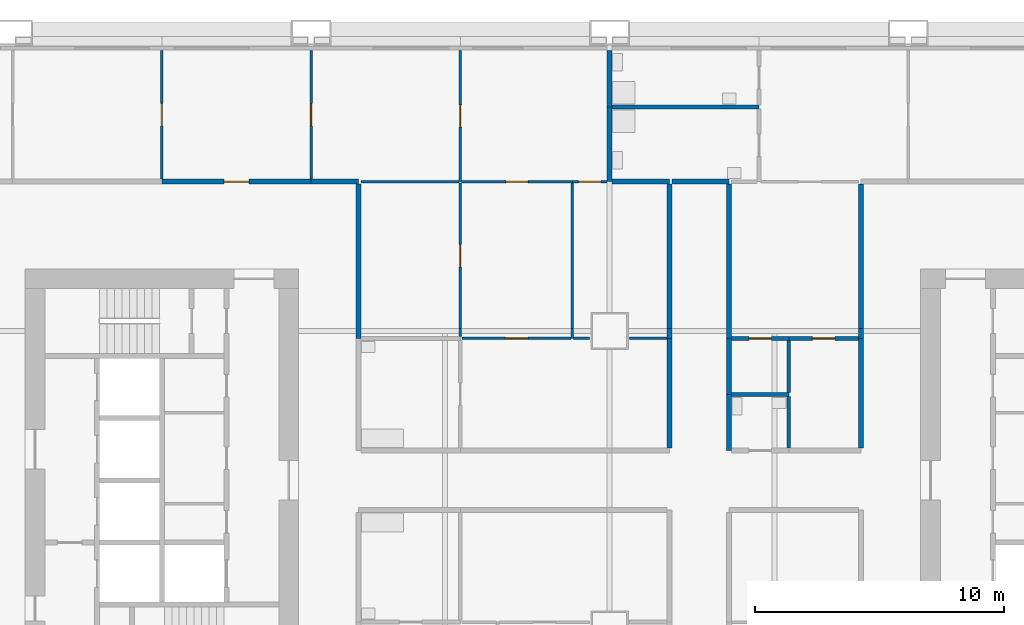
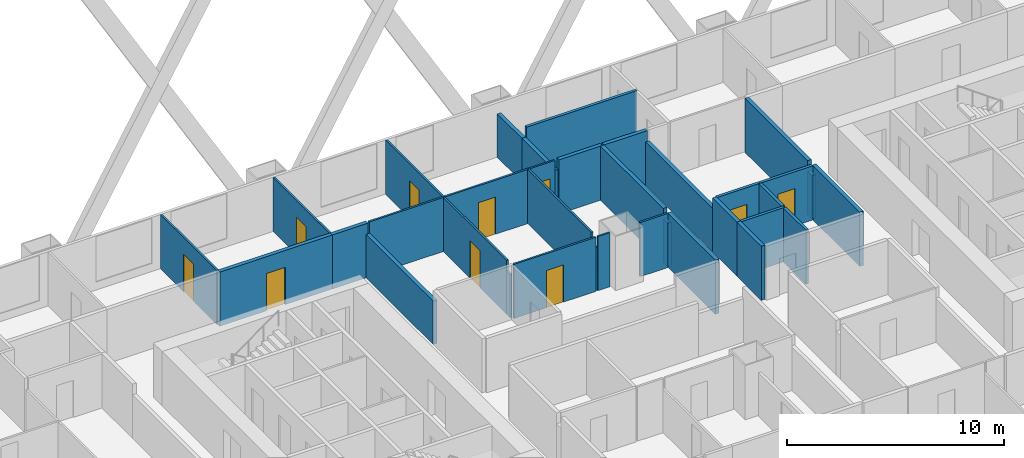
# One storey, part 8 of 13: 35 walls, 10 doors, 10 openings.
"""IFC4 building model written with IfcOpenShell, lengths in metres."""

import ifcopenshell
import ifcopenshell.guid

model = None  # the IFC model being written
_history = None  # IfcOwnerHistory: only IFC2X3 demands one
_inside = {}  # id of a spatial element -> (the spatial element, [elements in it])
_under = {}  # id of a project, library or spatial element -> (it, [spatial elements below it])
_declared = {}  # id of a project -> (the project, [libraries it declares])
_typed = {}  # id of a type object -> (the type object, [elements of that type])
_made_of = {}  # id of a material, layer set ... -> (it, [elements and type objects made of it])


def new_model(schema):
    """Start an empty IFC model of exactly this schema.

    Asked for "IFC4X3", IfcOpenShell would pick the latest addendum, in which some entities
    have other attributes; the version numbers below select the first issue.
    IFC2X3 requires an IfcOwnerHistory on every rooted entity: one is made here for all.
    """
    global model, _history
    if schema == "IFC4X3":
        model = ifcopenshell.file(schema_version=(4, 3, 0, 0))
    else:
        model = ifcopenshell.file(schema=schema)
    _inside.clear()
    _under.clear()
    _declared.clear()
    _typed.clear()
    _made_of.clear()
    _history = None
    if model.schema == "IFC2X3":
        org = make("IfcOrganization", Name="unknown")
        user = make(
            "IfcPersonAndOrganization",
            ThePerson=make("IfcPerson", FamilyName="unknown"),
            TheOrganization=org,
        )
        app = make(
            "IfcApplication",
            ApplicationDeveloper=org,
            Version="unknown",
            ApplicationFullName="unknown",
            ApplicationIdentifier="unknown",
        )
        _history = make(
            "IfcOwnerHistory",
            OwningUser=user,
            OwningApplication=app,
            ChangeAction="ADDED",
            CreationDate=0,
        )
    return model


def make(cls, **values):
    """One entity of the class cls with the attributes given. An attribute that is None is left unset."""
    return model.create_entity(
        cls, **{name: value for name, value in values.items() if value is not None}
    )


def rooted(cls, **values):
    """An entity with a GlobalId (a new one), such as an element, a storey or a relation."""
    return make(cls, GlobalId=ifcopenshell.guid.new(), OwnerHistory=_history, **values)


def si_unit(unit_type, name, prefix=None):
    """IfcSIUnit, for example si_unit("LENGTHUNIT", "METRE", prefix="MILLI")."""
    return make("IfcSIUnit", UnitType=unit_type, Prefix=prefix, Name=name)


def assignment(units):
    """IfcUnitAssignment: the units of a project."""
    return None if units is None else make("IfcUnitAssignment", Units=units)


def point(xyz):
    """IfcCartesianPoint."""
    return None if xyz is None else make("IfcCartesianPoint", Coordinates=xyz)


def direction(xyz):
    """IfcDirection."""
    return None if xyz is None else make("IfcDirection", DirectionRatios=xyz)


def frame(location, z_axis=None, x_axis=None):
    """IfcAxis2Placement3D, a coordinate frame: its origin and axes. An axis left out is left unset."""
    return make(
        "IfcAxis2Placement3D",
        Location=point(location),
        Axis=direction(z_axis),
        RefDirection=direction(x_axis),
    )


def frame_2d(location, x_axis=None):
    """IfcAxis2Placement2D, a coordinate frame in the plane: its origin and x axis."""
    return make(
        "IfcAxis2Placement2D", Location=point(location), RefDirection=direction(x_axis)
    )


def origin():
    """The frame at (0, 0, 0) with its axes left unset."""
    return frame((0.0, 0.0, 0.0))


def place(relative_to, where):
    """IfcLocalPlacement: puts the frame where relative to a parent placement (None: the world)."""
    return make(
        "IfcLocalPlacement", PlacementRelTo=relative_to, RelativePlacement=where
    )


def context(
    kind, dimensions, precision=None, world=None, true_north=None, identifier=None
):
    """IfcGeometricRepresentationContext, for example the 3D "Model" context."""
    return make(
        "IfcGeometricRepresentationContext",
        ContextIdentifier=identifier,
        ContextType=kind,
        CoordinateSpaceDimension=dimensions,
        Precision=precision,
        WorldCoordinateSystem=world,
        TrueNorth=true_north,
    )


def subcontext(parent, identifier, kind, view, scale=None):
    """IfcGeometricRepresentationSubContext, for example "Body" below "Model"."""
    return make(
        "IfcGeometricRepresentationSubContext",
        ContextIdentifier=identifier,
        ContextType=kind,
        ParentContext=parent,
        TargetScale=scale,
        TargetView=view,
    )


def project(units=None, contexts=None):
    """IfcProject with its units and contexts."""
    return rooted(
        "IfcProject",
        Name="project",
        RepresentationContexts=contexts,
        UnitsInContext=assignment(units),
    )


def spatial(cls, under=None, at=None, **own):
    """A site, building, storey or space (cls), placed at a placement, below another one or the project."""
    s = rooted(cls, ObjectPlacement=at, **own)
    if under is not None:
        _under.setdefault(under.id(), (under, []))[1].append(s)
    return s


def profile(cls, at=None, kind="AREA", **sizes):
    """A parametric profile (cls). Its sizes go by their IFC names, for example OverallWidth=200.0."""
    return make(cls, ProfileType=kind, Position=at, **sizes)


def rectangle(**sizes):
    """IfcRectangleProfileDef."""
    return profile("IfcRectangleProfileDef", **sizes)


def extrude(swept, where, along, depth):
    """IfcExtrudedAreaSolid: the profile swept, set in the frame where, extruded along a direction by depth."""
    return make(
        "IfcExtrudedAreaSolid",
        SweptArea=swept,
        Position=where,
        ExtrudedDirection=direction(along),
        Depth=depth,
    )


def shape(context_of_items, identifier, shape_type, items):
    """IfcShapeRepresentation: the items that make up one representation, for example the "Body"."""
    return make(
        "IfcShapeRepresentation",
        ContextOfItems=context_of_items,
        RepresentationIdentifier=identifier,
        RepresentationType=shape_type,
        Items=items,
    )


def material(Name=None, Category=None):
    """IfcMaterial."""
    return make("IfcMaterial", Name=Name, Category=Category)


def layer(
    of_material, thickness, ventilated=None, Name=None, Category=None, Priority=None
):
    """IfcMaterialLayer: one layer of a wall or slab, of a material (None: an air gap)."""
    return make(
        "IfcMaterialLayer",
        Material=of_material,
        LayerThickness=thickness,
        IsVentilated=ventilated,
        Name=Name,
        Category=Category,
        Priority=Priority,
    )


def layer_set(layers, Name=None):
    """IfcMaterialLayerSet."""
    return make("IfcMaterialLayerSet", MaterialLayers=layers, LayerSetName=Name)


def made_of(thing, what):
    """Note that an element or type object is made of a material, layer set ...; save() writes the relation."""
    if what is not None:
        _made_of.setdefault(what.id(), (what, []))[1].append(thing)
    return thing


def type_object(cls, material=None, **own):
    """A type object (cls), such as IfcWallType, which elements share."""
    return made_of(rooted(cls, **own), material)


def element(
    cls,
    number,
    at=None,
    inside=None,
    cuts=None,
    type_object=None,
    material=None,
    context=None,
    identifier="Body",
    shape_type=None,
    held_by="IfcProductDefinitionShape",
    body=None,
    shapes=None,
    **own,
):
    """One element of the class cls, such as IfcWall. Its Tag is "e" and its number.

    at: its placement. inside: the storey or other place that contains it. cuts: it is an
    opening in that element (IfcRelVoidsElement). A single representation is given by context,
    identifier, shape_type and body (its items); several are given by shapes. held_by: the class
    of the entity that holds the representations. save() writes the other relations.
    """
    e = rooted(cls, Tag="e%d" % number, ObjectPlacement=at, **own)
    if body is not None:
        shapes = [shape(context, identifier, shape_type, body)]
    if shapes is not None:
        e.Representation = make(held_by, Representations=shapes)
    if inside is not None:
        _inside.setdefault(inside.id(), (inside, []))[1].append(e)
    if cuts is not None:
        rooted(
            "IfcRelVoidsElement", RelatingBuildingElement=cuts, RelatedOpeningElement=e
        )
    if type_object is not None:
        _typed.setdefault(type_object.id(), (type_object, []))[1].append(e)
    return made_of(e, material)


def fill(opening, filler):
    """IfcRelFillsElement: the door or window that sits in an opening."""
    return rooted(
        "IfcRelFillsElement",
        RelatingOpeningElement=opening,
        RelatedBuildingElement=filler,
    )


def aggregate(whole, parts):
    """IfcRelAggregates: a whole, such as a stair, and the parts it consists of."""
    return rooted("IfcRelAggregates", RelatingObject=whole, RelatedObjects=parts)


def save(model, path):
    """Write the relations noted so far, then the file.

    IfcRelAggregates (storeys below a building ...), IfcRelContainedInSpatialStructure (elements
    in a storey), IfcRelDefinesByType, IfcRelAssociatesMaterial and IfcRelDeclares: one each for
    every whole, place, type object, material and project.
    """
    for whole, parts in _under.values():
        aggregate(whole, parts)
    for where, things in _inside.values():
        rooted(
            "IfcRelContainedInSpatialStructure",
            RelatedElements=things,
            RelatingStructure=where,
        )
    for kind, things in _typed.values():
        rooted("IfcRelDefinesByType", RelatedObjects=things, RelatingType=kind)
    for what, things in _made_of.values():
        rooted("IfcRelAssociatesMaterial", RelatedObjects=things, RelatingMaterial=what)
    for by, libraries in _declared.values():
        rooted("IfcRelDeclares", RelatingContext=by, RelatedDefinitions=libraries)
    model.write(path)


model = new_model("IFC4")

# Units and contexts
model_context = context("Model", 3, precision=1e-05, world=origin(), true_north=direction((0.0, 1.0)))
body_context = subcontext(model_context, "Body", "Model", "MODEL_VIEW")
ifc_project = project(units=[si_unit("LENGTHUNIT", "METRE"), si_unit("AREAUNIT", "SQUARE_METRE"), si_unit("VOLUMEUNIT", "CUBIC_METRE"), si_unit("PLANEANGLEUNIT", "RADIAN"), si_unit("MASSUNIT", "GRAM", prefix="KILO")], contexts=[model_context])

# Site, building, storey
site_placement = place(None, origin())
site = spatial("IfcSite", under=ifc_project, at=site_placement, CompositionType="ELEMENT")
building_placement = place(site_placement, origin())
building = spatial("IfcBuilding", under=site, at=building_placement, Name="Kitamizu Gate Tower and Museum", CompositionType="ELEMENT")
storey_placement = place(building_placement, frame((0.0, 0.0, 71.39990234375)))
storey = spatial("IfcBuildingStorey", under=building, at=storey_placement, Name="L17", CompositionType="ELEMENT", Elevation=71.39990234375)

# Wall, opening, door
ifc_material_1 = material(Name="Gypsum board on galvanised stud")
ifc_layer_1 = layer(ifc_material_1, 0.10009765625)
ifc_layer_set_1 = layer_set([ifc_layer_1], Name="Gypsum board on galvanised stud")
wall_type_1 = type_object("IfcWallType", Name="Partition 100 NOT RATED", PredefinedType="PARTITIONING", material=ifc_layer_set_1)
wall_1_placement = place(storey_placement, frame((18.0, 42.10009765625, 0.0), z_axis=(0.0, 0.0, 1.0), x_axis=(0.0, 1.0, 0.0)))
wall_1 = element("IfcWall", 1, at=wall_1_placement, inside=storey, type_object=wall_type_1, Name="Partition L17-142", PredefinedType="PARTITIONING", context=body_context, shape_type="SweptSolid", body=[
    extrude(rectangle(XDim=5.179931640625, YDim=0.10009765625, at=frame_2d((2.58984375, 0.0))), origin(), (0.0, 0.0, 1.0), 3.050048828125),
])
opening_1_placement = place(wall_1_placement, frame((2.139892578125, 0.0, 0.0)))
opening_1 = element("IfcOpeningElement", 2, at=opening_1_placement, cuts=wall_1, Name="Opening L17-056", PredefinedType="OPENING", context=body_context, shape_type="SweptSolid", body=[
    extrude(rectangle(XDim=0.89990234375, YDim=2.10009765625, at=frame_2d((0.449951171875, 1.050048828125))), frame((0.0, 0.06005859375, 0.0), z_axis=(0.0, -1.0, 0.0), x_axis=(1.0, 0.0, 0.0)), (0.0, 0.0, 1.0), 0.1201171875),
])
ifc_material_2 = material(Name="Timber door set", Category="wood")
door_type_1 = type_object("IfcDoorType", Name="Room door 900", OperationType="NOTDEFINED", PredefinedType="DOOR", material=ifc_material_2)
door_1_placement = place(opening_1_placement, origin())
door_1 = element("IfcDoor", 3, at=door_1_placement, inside=storey, type_object=door_type_1, Name="Door L17-056", OperationType="SINGLE_SWING_LEFT", OverallHeight=2.10009765625, OverallWidth=0.89990234375, PredefinedType="DOOR", context=body_context, shape_type="SweptSolid", body=[
    extrude(rectangle(XDim=0.89990234375, YDim=2.10009765625, at=frame_2d((0.449951171875, 1.050048828125))), frame((0.0, 0.02490234375, 0.0), z_axis=(0.0, -1.0, 0.0), x_axis=(1.0, 0.0, 0.0)), (0.0, 0.0, 1.0), 0.050048828125),
])
fill(opening_1, door_1)

wall_2_placement = place(storey_placement, frame((24.0, 42.10009765625, 0.0), z_axis=(0.0, 0.0, 1.0), x_axis=(0.0, 1.0, 0.0)))
wall_2 = element("IfcWall", 4, at=wall_2_placement, inside=storey, type_object=wall_type_1, Name="Partition L17-144", PredefinedType="PARTITIONING", context=body_context, shape_type="SweptSolid", body=[
    extrude(rectangle(XDim=5.179931640625, YDim=0.10009765625, at=frame_2d((2.58984375, 0.0))), origin(), (0.0, 0.0, 1.0), 3.050048828125),
])
opening_2_placement = place(wall_2_placement, frame((2.139892578125, 0.0, 0.0)))
opening_2 = element("IfcOpeningElement", 5, at=opening_2_placement, cuts=wall_2, Name="Opening L17-052", PredefinedType="OPENING", context=body_context, shape_type="SweptSolid", body=[
    extrude(rectangle(XDim=0.89990234375, YDim=2.10009765625, at=frame_2d((0.449951171875, 1.050048828125))), frame((0.0, 0.06005859375, 0.0), z_axis=(0.0, -1.0, 0.0), x_axis=(1.0, 0.0, 0.0)), (0.0, 0.0, 1.0), 0.1201171875),
])
door_2_placement = place(opening_2_placement, frame((0.89990234375, 0.0, 0.0), x_axis=(-1.0, 0.0, 0.0)))
door_2 = element("IfcDoor", 6, at=door_2_placement, inside=storey, type_object=door_type_1, Name="Door L17-052", OperationType="SINGLE_SWING_LEFT", OverallHeight=2.10009765625, OverallWidth=0.89990234375, PredefinedType="DOOR", context=body_context, shape_type="SweptSolid", body=[
    extrude(rectangle(XDim=0.89990234375, YDim=2.10009765625, at=frame_2d((0.449951171875, 1.050048828125))), frame((0.0, 0.02490234375, 0.0), z_axis=(0.0, -1.0, 0.0), x_axis=(1.0, 0.0, 0.0)), (0.0, 0.0, 1.0), 0.050048828125),
])
fill(opening_2, door_2)

wall_3_placement = place(storey_placement, frame((30.0, 42.0, 0.0), z_axis=(0.0, 0.0, 1.0), x_axis=(0.0, 1.0, 0.0)))
wall_3 = element("IfcWall", 7, at=wall_3_placement, inside=storey, type_object=wall_type_1, Name="Partition L17-146", PredefinedType="PARTITIONING", context=body_context, shape_type="SweptSolid", body=[
    extrude(rectangle(XDim=5.280029296875, YDim=0.10009765625, at=frame_2d((2.64013671875, 0.0))), origin(), (0.0, 0.0, 1.0), 3.050048828125),
])
opening_3_placement = place(wall_3_placement, frame((2.18994140625, 0.0, 0.0)))
opening_3 = element("IfcOpeningElement", 8, at=opening_3_placement, cuts=wall_3, Name="Opening L17-053", PredefinedType="OPENING", context=body_context, shape_type="SweptSolid", body=[
    extrude(rectangle(XDim=0.89990234375, YDim=2.10009765625, at=frame_2d((0.449951171875, 1.050048828125))), frame((0.0, 0.06005859375, 0.0), z_axis=(0.0, -1.0, 0.0), x_axis=(1.0, 0.0, 0.0)), (0.0, 0.0, 1.0), 0.1201171875),
])
door_3_placement = place(opening_3_placement, origin())
door_3 = element("IfcDoor", 9, at=door_3_placement, inside=storey, type_object=door_type_1, Name="Door L17-053", OperationType="SINGLE_SWING_LEFT", OverallHeight=2.10009765625, OverallWidth=0.89990234375, PredefinedType="DOOR", context=body_context, shape_type="SweptSolid", body=[
    extrude(rectangle(XDim=0.89990234375, YDim=2.10009765625, at=frame_2d((0.449951171875, 1.050048828125))), frame((0.0, 0.02490234375, 0.0), z_axis=(0.0, -1.0, 0.0), x_axis=(1.0, 0.0, 0.0)), (0.0, 0.0, 1.0), 0.050048828125),
])
fill(opening_3, door_3)

# Wall
wall_4_placement = place(storey_placement, frame((26.0, 42.0, 0.0), z_axis=(0.0, 0.0, 1.0), x_axis=(1.0, 0.0, 0.0)))
element("IfcWall", 10, at=wall_4_placement, inside=storey, type_object=wall_type_1, Name="Partition L17-147", PredefinedType="PARTITIONING", context=body_context, shape_type="SweptSolid", body=[
    extrude(rectangle(XDim=3.949951171875, YDim=0.10009765625, at=frame_2d((1.97509765625, 0.0))), origin(), (0.0, 0.0, 1.0), 3.050048828125),
])

# Wall, opening, door
wall_5_placement = place(storey_placement, frame((30.050048828125, 42.0, 0.0), z_axis=(0.0, 0.0, 1.0), x_axis=(1.0, 0.0, 0.0)))
wall_5 = element("IfcWall", 11, at=wall_5_placement, inside=storey, type_object=wall_type_1, Name="Partition L17-149", PredefinedType="PARTITIONING", context=body_context, shape_type="SweptSolid", body=[
    extrude(rectangle(XDim=4.449951171875, YDim=0.10009765625, at=frame_2d((2.22509765625, 0.0))), origin(), (0.0, 0.0, 1.0), 3.050048828125),
])
opening_4_placement = place(wall_5_placement, frame((1.77490234375, 0.0, 0.0)))
opening_4 = element("IfcOpeningElement", 12, at=opening_4_placement, cuts=wall_5, Name="Opening L17-054", PredefinedType="OPENING", context=body_context, shape_type="SweptSolid", body=[
    extrude(rectangle(XDim=0.89990234375, YDim=2.10009765625, at=frame_2d((0.449951171875, 1.050048828125))), frame((0.0, 0.06005859375, 0.0), z_axis=(0.0, -1.0, 0.0), x_axis=(1.0, 0.0, 0.0)), (0.0, 0.0, 1.0), 0.1201171875),
])
door_4_placement = place(opening_4_placement, frame((0.89990234375, 0.0, 0.0), x_axis=(-1.0, 0.0, 0.0)))
door_4 = element("IfcDoor", 13, at=door_4_placement, inside=storey, type_object=door_type_1, Name="Door L17-054", OperationType="SINGLE_SWING_LEFT", OverallHeight=2.10009765625, OverallWidth=0.89990234375, PredefinedType="DOOR", context=body_context, shape_type="SweptSolid", body=[
    extrude(rectangle(XDim=0.89990234375, YDim=2.10009765625, at=frame_2d((0.449951171875, 1.050048828125))), frame((0.0, 0.02490234375, 0.0), z_axis=(0.0, -1.0, 0.0), x_axis=(1.0, 0.0, 0.0)), (0.0, 0.0, 1.0), 0.050048828125),
])
fill(opening_4, door_4)

wall_6_placement = place(storey_placement, frame((34.5, 42.0, 0.0), z_axis=(0.0, 0.0, 1.0), x_axis=(1.0, 0.0, 0.0)))
wall_6 = element("IfcWall", 14, at=wall_6_placement, inside=storey, type_object=wall_type_1, Name="Partition L17-150", PredefinedType="PARTITIONING", context=body_context, shape_type="SweptSolid", body=[
    extrude(rectangle(XDim=1.39990234375, YDim=0.10009765625, at=frame_2d((0.699951171875, 0.0))), origin(), (0.0, 0.0, 1.0), 3.050048828125),
])
opening_5_placement = place(wall_6_placement, frame((0.25, 0.0, 0.0)))
opening_5 = element("IfcOpeningElement", 15, at=opening_5_placement, cuts=wall_6, Name="Opening L17-055", PredefinedType="OPENING", context=body_context, shape_type="SweptSolid", body=[
    extrude(rectangle(XDim=0.89990234375, YDim=2.10009765625, at=frame_2d((0.449951171875, 1.050048828125))), frame((0.0, 0.06005859375, 0.0), z_axis=(0.0, -1.0, 0.0), x_axis=(1.0, 0.0, 0.0)), (0.0, 0.0, 1.0), 0.1201171875),
])
door_5_placement = place(opening_5_placement, frame((0.89990234375, 0.0, 0.0), x_axis=(-1.0, 0.0, 0.0)))
door_5 = element("IfcDoor", 16, at=door_5_placement, inside=storey, type_object=door_type_1, Name="Door L17-055", OperationType="SINGLE_SWING_LEFT", OverallHeight=2.10009765625, OverallWidth=0.89990234375, PredefinedType="DOOR", context=body_context, shape_type="SweptSolid", body=[
    extrude(rectangle(XDim=0.89990234375, YDim=2.10009765625, at=frame_2d((0.449951171875, 1.050048828125))), frame((0.0, 0.02490234375, 0.0), z_axis=(0.0, -1.0, 0.0), x_axis=(1.0, 0.0, 0.0)), (0.0, 0.0, 1.0), 0.050048828125),
])
fill(opening_5, door_5)

# Wall
wall_7_placement = place(storey_placement, frame((30.0, 35.77490234375, 0.0), z_axis=(0.0, 0.0, 1.0), x_axis=(0.0, 1.0, 0.0)))
element("IfcWall", 17, at=wall_7_placement, inside=storey, type_object=wall_type_1, Name="Partition L17-153", PredefinedType="PARTITIONING", context=body_context, shape_type="SweptSolid", body=[
    extrude(rectangle(XDim=0.3251953125, YDim=0.10009765625, at=frame_2d((0.16259765625, 0.0))), origin(), (0.0, 0.0, 1.0), 2.4501953125),
])

# Wall, opening, door
wall_8_placement = place(storey_placement, frame((30.0, 36.10009765625, 0.0), z_axis=(0.0, 0.0, 1.0), x_axis=(0.0, 1.0, 0.0)))
wall_8 = element("IfcWall", 18, at=wall_8_placement, inside=storey, type_object=wall_type_1, Name="Partition L17-154", PredefinedType="PARTITIONING", context=body_context, shape_type="SweptSolid", body=[
    extrude(rectangle(XDim=5.849853515625, YDim=0.10009765625, at=frame_2d((2.9248046875, 0.0))), origin(), (0.0, 0.0, 1.0), 3.050048828125),
])
opening_6_placement = place(wall_8_placement, frame((2.47509765625, 0.0, 0.0)))
opening_6 = element("IfcOpeningElement", 19, at=opening_6_placement, cuts=wall_8, Name="Opening L17-057", PredefinedType="OPENING", context=body_context, shape_type="SweptSolid", body=[
    extrude(rectangle(XDim=0.89990234375, YDim=2.10009765625, at=frame_2d((0.449951171875, 1.050048828125))), frame((0.0, 0.06005859375, 0.0), z_axis=(0.0, -1.0, 0.0), x_axis=(1.0, 0.0, 0.0)), (0.0, 0.0, 1.0), 0.1201171875),
])
door_6_placement = place(opening_6_placement, origin())
door_6 = element("IfcDoor", 20, at=door_6_placement, inside=storey, type_object=door_type_1, Name="Door L17-057", OperationType="SINGLE_SWING_RIGHT", OverallHeight=2.10009765625, OverallWidth=0.89990234375, PredefinedType="DOOR", context=body_context, shape_type="SweptSolid", body=[
    extrude(rectangle(XDim=0.89990234375, YDim=2.10009765625, at=frame_2d((0.449951171875, 1.050048828125))), frame((0.0, 0.02490234375, 0.0), z_axis=(0.0, -1.0, 0.0), x_axis=(1.0, 0.0, 0.0)), (0.0, 0.0, 1.0), 0.050048828125),
])
fill(opening_6, door_6)

# Walls
wall_9_placement = place(storey_placement, frame((34.5, 35.699951171875, 0.0), z_axis=(0.0, 0.0, 1.0), x_axis=(0.0, 1.0, 0.0)))
element("IfcWall", 21, at=wall_9_placement, inside=storey, type_object=wall_type_1, Name="Partition L17-157", PredefinedType="PARTITIONING", context=body_context, shape_type="SweptSolid", body=[
    extrude(rectangle(XDim=0.400146484375, YDim=0.10009765625, at=frame_2d((0.2001953125, 0.0))), origin(), (0.0, 0.0, 1.0), 2.4501953125),
])
wall_10_placement = place(storey_placement, frame((34.5, 36.10009765625, 0.0), z_axis=(0.0, 0.0, 1.0), x_axis=(0.0, 1.0, 0.0)))
element("IfcWall", 22, at=wall_10_placement, inside=storey, type_object=wall_type_1, Name="Partition L17-158", PredefinedType="PARTITIONING", context=body_context, shape_type="SweptSolid", body=[
    extrude(rectangle(XDim=5.849853515625, YDim=0.10009765625, at=frame_2d((2.9248046875, 0.0))), origin(), (0.0, 0.0, 1.0), 3.050048828125),
])

# Wall, opening, door
wall_11_placement = place(storey_placement, frame((30.074951171875, 35.699951171875, 0.0), z_axis=(0.0, 0.0, 1.0), x_axis=(1.0, 0.0, 0.0)))
wall_11 = element("IfcWall", 23, at=wall_11_placement, inside=storey, type_object=wall_type_1, Name="Partition L17-159", PredefinedType="PARTITIONING", context=body_context, shape_type="SweptSolid", body=[
    extrude(rectangle(XDim=4.375, YDim=0.10009765625, at=frame_2d((2.1875, 0.0))), origin(), (0.0, 0.0, 1.0), 3.050048828125),
])
opening_7_placement = place(wall_11_placement, frame((1.737548828125, 0.0, 0.0)))
opening_7 = element("IfcOpeningElement", 24, at=opening_7_placement, cuts=wall_11, Name="Opening L17-058", PredefinedType="OPENING", context=body_context, shape_type="SweptSolid", body=[
    extrude(rectangle(XDim=0.89990234375, YDim=2.10009765625, at=frame_2d((0.449951171875, 1.050048828125))), frame((0.0, 0.06005859375, 0.0), z_axis=(0.0, -1.0, 0.0), x_axis=(1.0, 0.0, 0.0)), (0.0, 0.0, 1.0), 0.1201171875),
])
door_7_placement = place(opening_7_placement, origin())
door_7 = element("IfcDoor", 25, at=door_7_placement, inside=storey, type_object=door_type_1, Name="Door L17-058", OperationType="SINGLE_SWING_LEFT", OverallHeight=2.10009765625, OverallWidth=0.89990234375, PredefinedType="DOOR", context=body_context, shape_type="SweptSolid", body=[
    extrude(rectangle(XDim=0.89990234375, YDim=2.10009765625, at=frame_2d((0.449951171875, 1.050048828125))), frame((0.0, 0.02490234375, 0.0), z_axis=(0.0, -1.0, 0.0), x_axis=(1.0, 0.0, 0.0)), (0.0, 0.0, 1.0), 0.050048828125),
])
fill(opening_7, door_7)

# Walls
wall_12_placement = place(storey_placement, frame((34.550048828125, 35.699951171875, 0.0), z_axis=(0.0, 0.0, 1.0), x_axis=(1.0, 0.0, 0.0)))
element("IfcWall", 26, at=wall_12_placement, inside=storey, type_object=wall_type_1, Name="Partition L17-160", PredefinedType="PARTITIONING", context=body_context, shape_type="SweptSolid", body=[
    extrude(rectangle(XDim=0.64990234375, YDim=0.10009765625, at=frame_2d((0.324951171875, 0.0))), origin(), (0.0, 0.0, 1.0), 3.050048828125),
])
wall_13_placement = place(storey_placement, frame((36.800048828125, 35.699951171875, 0.0), z_axis=(0.0, 0.0, 1.0), x_axis=(1.0, 0.0, 0.0)))
element("IfcWall", 27, at=wall_13_placement, inside=storey, type_object=wall_type_1, Name="Partition L17-161", PredefinedType="PARTITIONING", context=body_context, shape_type="SweptSolid", body=[
    extrude(rectangle(XDim=1.5, YDim=0.10009765625, at=frame_2d((0.75, 0.0))), origin(), (0.0, 0.0, 1.0), 3.050048828125),
])
ifc_material_3 = material(Name="Gypsum board on galvanised stud")
ifc_layer_2 = layer(ifc_material_3, 0.14990234375)
ifc_layer_set_2 = layer_set([ifc_layer_2], Name="Gypsum board on galvanised stud")
wall_type_2 = type_object("IfcWallType", Name="Partition 150", PredefinedType="PARTITIONING", material=ifc_layer_set_2)
wall_14_placement = place(storey_placement, frame((42.0, 45.0, 0.0), z_axis=(0.0, 0.0, 1.0), x_axis=(-1.0, 0.0, 0.0)))
element("IfcWall", 28, at=wall_14_placement, inside=storey, type_object=wall_type_2, Name="Partition L17-171", PredefinedType="PARTITIONING", context=body_context, shape_type="SweptSolid", body=[
    extrude(rectangle(XDim=5.89990234375, YDim=0.14990234375, at=frame_2d((2.949951171875, 0.0))), origin(), (0.0, 0.0, 1.0), 3.050048828125),
])

# Wall, opening, door
wall_15_placement = place(storey_placement, frame((40.89990234375, 35.699951171875, 0.0), z_axis=(0.0, 0.0, 1.0), x_axis=(1.0, 0.0, 0.0)))
wall_15 = element("IfcWall", 29, at=wall_15_placement, inside=storey, type_object=wall_type_2, Name="Partition L17-184", PredefinedType="PARTITIONING", context=body_context, shape_type="SweptSolid", body=[
    extrude(rectangle(XDim=2.300048828125, YDim=0.14990234375, at=frame_2d((1.14990234375, 0.0))), origin(), (0.0, 0.0, 1.0), 3.050048828125),
])
opening_8_placement = place(wall_15_placement, frame((0.699951171875, 0.0, 0.0)))
opening_8 = element("IfcOpeningElement", 30, at=opening_8_placement, cuts=wall_15, Name="Opening L17-068", PredefinedType="OPENING", context=body_context, shape_type="SweptSolid", body=[
    extrude(rectangle(XDim=0.89990234375, YDim=2.10009765625, at=frame_2d((0.449951171875, 1.050048828125))), frame((0.0, 0.0849609375, 0.0), z_axis=(0.0, -1.0, 0.0), x_axis=(1.0, 0.0, 0.0)), (0.0, 0.0, 1.0), 0.169921875),
])
ifc_material_4 = material(Name="Timber door set", Category="wood")
door_type_2 = type_object("IfcDoorType", Name="Bathroom door 900", OperationType="NOTDEFINED", PredefinedType="DOOR", material=ifc_material_4)
door_8_placement = place(opening_8_placement, frame((0.89990234375, 0.0, 0.0), x_axis=(-1.0, 0.0, 0.0)))
door_8 = element("IfcDoor", 31, at=door_8_placement, inside=storey, type_object=door_type_2, Name="Bathroom door L17-068", OperationType="SINGLE_SWING_RIGHT", OverallHeight=2.10009765625, OverallWidth=0.89990234375, PredefinedType="DOOR", context=body_context, shape_type="SweptSolid", body=[
    extrude(rectangle(XDim=0.89990234375, YDim=2.10009765625, at=frame_2d((0.449951171875, 1.050048828125))), frame((0.0, 0.02490234375, 0.0), z_axis=(0.0, -1.0, 0.0), x_axis=(1.0, 0.0, 0.0)), (0.0, 0.0, 1.0), 0.050048828125),
])
fill(opening_8, door_8)

wall_16_placement = place(storey_placement, frame((43.199951171875, 35.699951171875, 0.0), z_axis=(0.0, 0.0, 1.0), x_axis=(1.0, 0.0, 0.0)))
wall_16 = element("IfcWall", 32, at=wall_16_placement, inside=storey, type_object=wall_type_2, Name="Partition L17-185", PredefinedType="PARTITIONING", context=body_context, shape_type="SweptSolid", body=[
    extrude(rectangle(XDim=2.800048828125, YDim=0.14990234375, at=frame_2d((1.39990234375, 0.0))), origin(), (0.0, 0.0, 1.0), 3.050048828125),
])
opening_9_placement = place(wall_16_placement, frame((0.949951171875, 0.0, 0.0)))
opening_9 = element("IfcOpeningElement", 33, at=opening_9_placement, cuts=wall_16, Name="Opening L17-069", PredefinedType="OPENING", context=body_context, shape_type="SweptSolid", body=[
    extrude(rectangle(XDim=0.89990234375, YDim=2.10009765625, at=frame_2d((0.449951171875, 1.050048828125))), frame((0.0, 0.0849609375, 0.0), z_axis=(0.0, -1.0, 0.0), x_axis=(1.0, 0.0, 0.0)), (0.0, 0.0, 1.0), 0.169921875),
])
door_9_placement = place(opening_9_placement, frame((0.89990234375, 0.0, 0.0), x_axis=(-1.0, 0.0, 0.0)))
door_9 = element("IfcDoor", 34, at=door_9_placement, inside=storey, type_object=door_type_2, Name="Bathroom door L17-069", OperationType="SINGLE_SWING_LEFT", OverallHeight=2.10009765625, OverallWidth=0.89990234375, PredefinedType="DOOR", context=body_context, shape_type="SweptSolid", body=[
    extrude(rectangle(XDim=0.89990234375, YDim=2.10009765625, at=frame_2d((0.449951171875, 1.050048828125))), frame((0.0, 0.02490234375, 0.0), z_axis=(0.0, -1.0, 0.0), x_axis=(1.0, 0.0, 0.0)), (0.0, 0.0, 1.0), 0.050048828125),
])
fill(opening_9, door_9)

# Walls
wall_17_placement = place(storey_placement, frame((43.199951171875, 33.449951171875, 0.0), z_axis=(0.0, 0.0, 1.0), x_axis=(-1.0, 0.0, 0.0)))
element("IfcWall", 35, at=wall_17_placement, inside=storey, type_object=wall_type_2, Name="Partition L17-189", PredefinedType="PARTITIONING", context=body_context, shape_type="SweptSolid", body=[
    extrude(rectangle(XDim=2.300048828125, YDim=0.14990234375, at=frame_2d((1.14990234375, 0.0))), origin(), (0.0, 0.0, 1.0), 3.050048828125),
])
wall_18_placement = place(storey_placement, frame((43.199951171875, 31.300048828125, 0.0), z_axis=(0.0, 0.0, 1.0), x_axis=(0.0, 1.0, 0.0)))
element("IfcWall", 36, at=wall_18_placement, inside=storey, type_object=wall_type_2, Name="Partition L17-190", PredefinedType="PARTITIONING", context=body_context, shape_type="SweptSolid", body=[
    extrude(rectangle(XDim=2.074951171875, YDim=0.14990234375, at=frame_2d((1.03759765625, 0.0))), origin(), (0.0, 0.0, 1.0), 3.050048828125),
])
wall_19_placement = place(storey_placement, frame((43.199951171875, 33.52490234375, 0.0), z_axis=(0.0, 0.0, 1.0), x_axis=(0.0, 1.0, 0.0)))
element("IfcWall", 37, at=wall_19_placement, inside=storey, type_object=wall_type_2, Name="Partition L17-193", PredefinedType="PARTITIONING", context=body_context, shape_type="SweptSolid", body=[
    extrude(rectangle(XDim=2.10009765625, YDim=0.14990234375, at=frame_2d((1.050048828125, 0.0))), origin(), (0.0, 0.0, 1.0), 3.050048828125),
])

# Wall, opening, door
ifc_material_5 = material(Name="Gypsum board on galvanised stud")
ifc_layer_3 = layer(ifc_material_5, 0.199951171875)
ifc_layer_set_3 = layer_set([ifc_layer_3], Name="Gypsum board on galvanised stud")
wall_type_3 = type_object("IfcWallType", Name="Partition 200", PredefinedType="PARTITIONING", material=ifc_layer_set_3)
wall_20_placement = place(storey_placement, frame((18.0, 42.0, 0.0), z_axis=(0.0, 0.0, 1.0), x_axis=(1.0, 0.0, 0.0)))
wall_20 = element("IfcWall", 38, at=wall_20_placement, inside=storey, type_object=wall_type_3, Name="Partition L17-145", PredefinedType="PARTITIONING", context=body_context, shape_type="SweptSolid", body=[
    extrude(rectangle(XDim=6.0, YDim=0.199951171875, at=frame_2d((3.0, 0.0))), origin(), (0.0, 0.0, 1.0), 3.050048828125),
])
opening_10_placement = place(wall_20_placement, frame((2.5, 0.0, 0.0)))
opening_10 = element("IfcOpeningElement", 39, at=opening_10_placement, cuts=wall_20, Name="Opening L17-051", PredefinedType="OPENING", context=body_context, shape_type="SweptSolid", body=[
    extrude(rectangle(XDim=1.0, YDim=2.10009765625, at=frame_2d((0.5, 1.050048828125))), frame((0.0, 0.10986328125, 0.0), z_axis=(0.0, -1.0, 0.0), x_axis=(1.0, 0.0, 0.0)), (0.0, 0.0, 1.0), 0.219970703125),
])
ifc_material_6 = material(Name="Timber door set", Category="wood")
door_type_3 = type_object("IfcDoorType", Name="Flat entrance door 1000", OperationType="NOTDEFINED", PredefinedType="DOOR", material=ifc_material_6)
door_10_placement = place(opening_10_placement, origin())
door_10 = element("IfcDoor", 40, at=door_10_placement, inside=storey, type_object=door_type_3, Name="Flat entrance door L17-051", OperationType="SINGLE_SWING_LEFT", OverallHeight=2.10009765625, OverallWidth=1.0, PredefinedType="DOOR", context=body_context, shape_type="SweptSolid", body=[
    extrude(rectangle(XDim=1.0, YDim=2.10009765625, at=frame_2d((0.5, 1.050048828125))), frame((0.0, 0.02490234375, 0.0), z_axis=(0.0, -1.0, 0.0), x_axis=(1.0, 0.0, 0.0)), (0.0, 0.0, 1.0), 0.050048828125),
])
fill(opening_10, door_10)

# Walls
wall_21_placement = place(storey_placement, frame((24.0, 42.0, 0.0), z_axis=(0.0, 0.0, 1.0), x_axis=(1.0, 0.0, 0.0)))
element("IfcWall", 41, at=wall_21_placement, inside=storey, type_object=wall_type_3, Name="Partition L17-148", PredefinedType="PARTITIONING", context=body_context, shape_type="SweptSolid", body=[
    extrude(rectangle(XDim=1.89990234375, YDim=0.199951171875, at=frame_2d((0.949951171875, 0.0))), origin(), (0.0, 0.0, 1.0), 3.050048828125),
])
wall_22_placement = place(storey_placement, frame((36.0, 42.0, 0.0), z_axis=(0.0, 0.0, 1.0), x_axis=(0.0, 1.0, 0.0)))
element("IfcWall", 42, at=wall_22_placement, inside=storey, type_object=wall_type_3, Name="Partition L17-151", PredefinedType="PARTITIONING", context=body_context, shape_type="SweptSolid", body=[
    extrude(rectangle(XDim=3.0, YDim=0.199951171875, at=frame_2d((1.5, 0.0))), origin(), (0.0, 0.0, 1.0), 2.4501953125),
])
wall_23_placement = place(storey_placement, frame((36.0, 45.0, 0.0), z_axis=(0.0, 0.0, 1.0), x_axis=(0.0, 1.0, 0.0)))
element("IfcWall", 43, at=wall_23_placement, inside=storey, type_object=wall_type_3, Name="Partition L17-152", PredefinedType="PARTITIONING", context=body_context, shape_type="SweptSolid", body=[
    extrude(rectangle(XDim=2.280029296875, YDim=0.199951171875, at=frame_2d((1.14013671875, 0.0))), origin(), (0.0, 0.0, 1.0), 2.4501953125),
])
wall_24_placement = place(storey_placement, frame((25.89990234375, 41.89990234375, 0.0), z_axis=(0.0, 0.0, 1.0), x_axis=(0.0, -1.0, 0.0)))
element("IfcWall", 44, at=wall_24_placement, inside=storey, type_object=wall_type_3, Name="Partition L17-156", PredefinedType="PARTITIONING", context=body_context, shape_type="SweptSolid", body=[
    extrude(rectangle(XDim=6.199951171875, YDim=0.199951171875, at=frame_2d((3.10009765625, 0.0))), origin(), (0.0, 0.0, 1.0), 2.4501953125),
])
wall_25_placement = place(storey_placement, frame((38.39990234375, 42.0, 0.0), z_axis=(0.0, 0.0, 1.0), x_axis=(-1.0, 0.0, 0.0)))
element("IfcWall", 45, at=wall_25_placement, inside=storey, type_object=wall_type_3, Name="Partition L17-162", PredefinedType="PARTITIONING", context=body_context, shape_type="SweptSolid", body=[
    extrude(rectangle(XDim=2.2998046875, YDim=0.199951171875, at=frame_2d((1.14990234375, 0.0))), origin(), (0.0, 0.0, 1.0), 3.050048828125),
])
wall_26_placement = place(storey_placement, frame((38.39990234375, 35.699951171875, 0.0), z_axis=(0.0, 0.0, 1.0), x_axis=(0.0, 1.0, 0.0)))
element("IfcWall", 46, at=wall_26_placement, inside=storey, type_object=wall_type_3, Name="Partition L17-163", PredefinedType="PARTITIONING", context=body_context, shape_type="SweptSolid", body=[
    extrude(rectangle(XDim=0.400146484375, YDim=0.199951171875, at=frame_2d((0.2001953125, 0.0))), origin(), (0.0, 0.0, 1.0), 2.4501953125),
])
wall_27_placement = place(storey_placement, frame((38.39990234375, 36.10009765625, 0.0), z_axis=(0.0, 0.0, 1.0), x_axis=(0.0, 1.0, 0.0)))
element("IfcWall", 47, at=wall_27_placement, inside=storey, type_object=wall_type_3, Name="Partition L17-164", PredefinedType="PARTITIONING", context=body_context, shape_type="SweptSolid", body=[
    extrude(rectangle(XDim=5.7998046875, YDim=0.199951171875, at=frame_2d((2.89990234375, 0.0))), origin(), (0.0, 0.0, 1.0), 3.050048828125),
])
wall_28_placement = place(storey_placement, frame((38.39990234375, 31.300048828125, 0.0), z_axis=(0.0, 0.0, 1.0), x_axis=(0.0, 1.0, 0.0)))
element("IfcWall", 48, at=wall_28_placement, inside=storey, type_object=wall_type_3, Name="Partition L17-170", PredefinedType="PARTITIONING", context=body_context, shape_type="SweptSolid", body=[
    extrude(rectangle(XDim=4.39990234375, YDim=0.199951171875, at=frame_2d((2.199951171875, 0.0))), origin(), (0.0, 0.0, 1.0), 3.050048828125),
])
wall_29_placement = place(storey_placement, frame((38.5, 42.0, 0.0), z_axis=(0.0, 0.0, 1.0), x_axis=(1.0, 0.0, 0.0)))
element("IfcWall", 49, at=wall_29_placement, inside=storey, type_object=wall_type_3, Name="Partition L17-174", PredefinedType="PARTITIONING", context=body_context, shape_type="SweptSolid", body=[
    extrude(rectangle(XDim=2.300048828125, YDim=0.199951171875, at=frame_2d((1.14990234375, 0.0))), origin(), (0.0, 0.0, 1.0), 3.050048828125),
])
wall_30_placement = place(storey_placement, frame((40.800048828125, 41.89990234375, 0.0), z_axis=(0.0, 0.0, 1.0), x_axis=(0.0, -1.0, 0.0)))
element("IfcWall", 50, at=wall_30_placement, inside=storey, type_object=wall_type_3, Name="Partition L17-186", PredefinedType="PARTITIONING", context=body_context, shape_type="SweptSolid", body=[
    extrude(rectangle(XDim=6.199951171875, YDim=0.199951171875, at=frame_2d((3.10009765625, 0.0))), origin(), (0.0, 0.0, 1.0), 2.4501953125),
])
wall_31_placement = place(storey_placement, frame((46.10009765625, 35.699951171875, 0.0), z_axis=(0.0, 0.0, 1.0), x_axis=(0.0, 1.0, 0.0)))
element("IfcWall", 51, at=wall_31_placement, inside=storey, type_object=wall_type_3, Name="Partition L17-187", PredefinedType="PARTITIONING", context=body_context, shape_type="SweptSolid", body=[
    extrude(rectangle(XDim=0.400146484375, YDim=0.199951171875, at=frame_2d((0.2001953125, 0.0))), origin(), (0.0, 0.0, 1.0), 2.4501953125),
])
wall_32_placement = place(storey_placement, frame((46.10009765625, 36.10009765625, 0.0), z_axis=(0.0, 0.0, 1.0), x_axis=(0.0, 1.0, 0.0)))
element("IfcWall", 52, at=wall_32_placement, inside=storey, type_object=wall_type_3, Name="Partition L17-188", PredefinedType="PARTITIONING", context=body_context, shape_type="SweptSolid", body=[
    extrude(rectangle(XDim=5.7998046875, YDim=0.199951171875, at=frame_2d((2.89990234375, 0.0))), origin(), (0.0, 0.0, 1.0), 3.050048828125),
])
for number, where, z_axis, x_axis, name in (
    (53, (40.800048828125, 33.449951171875, 0.0), (0.0, 0.0, 1.0), (0.0, -1.0, 0.0), "Partition L17-191"),
    (54, (40.800048828125, 35.699951171875, 0.0), (0.0, 0.0, 1.0), (0.0, -1.0, 0.0), "Partition L17-194"),
):
    element("IfcWall", number, at=place(storey_placement, frame(where, z_axis=z_axis, x_axis=x_axis)), inside=storey, type_object=wall_type_3, Name=name, PredefinedType="PARTITIONING", context=body_context, shape_type="SweptSolid", body=[
        extrude(rectangle(XDim=2.25, YDim=0.199951171875, at=frame_2d((1.125, 0.0))), origin(), (0.0, 0.0, 1.0), 3.050048828125),
    ])
wall_33_placement = place(storey_placement, frame((46.10009765625, 31.300048828125, 0.0), z_axis=(0.0, 0.0, 1.0), x_axis=(0.0, 1.0, 0.0)))
element("IfcWall", 55, at=wall_33_placement, inside=storey, type_object=wall_type_3, Name="Partition L17-196", PredefinedType="PARTITIONING", context=body_context, shape_type="SweptSolid", body=[
    extrude(rectangle(XDim=4.39990234375, YDim=0.199951171875, at=frame_2d((2.199951171875, 0.0))), origin(), (0.0, 0.0, 1.0), 3.050048828125),
])

save(model, "model.ifc")
